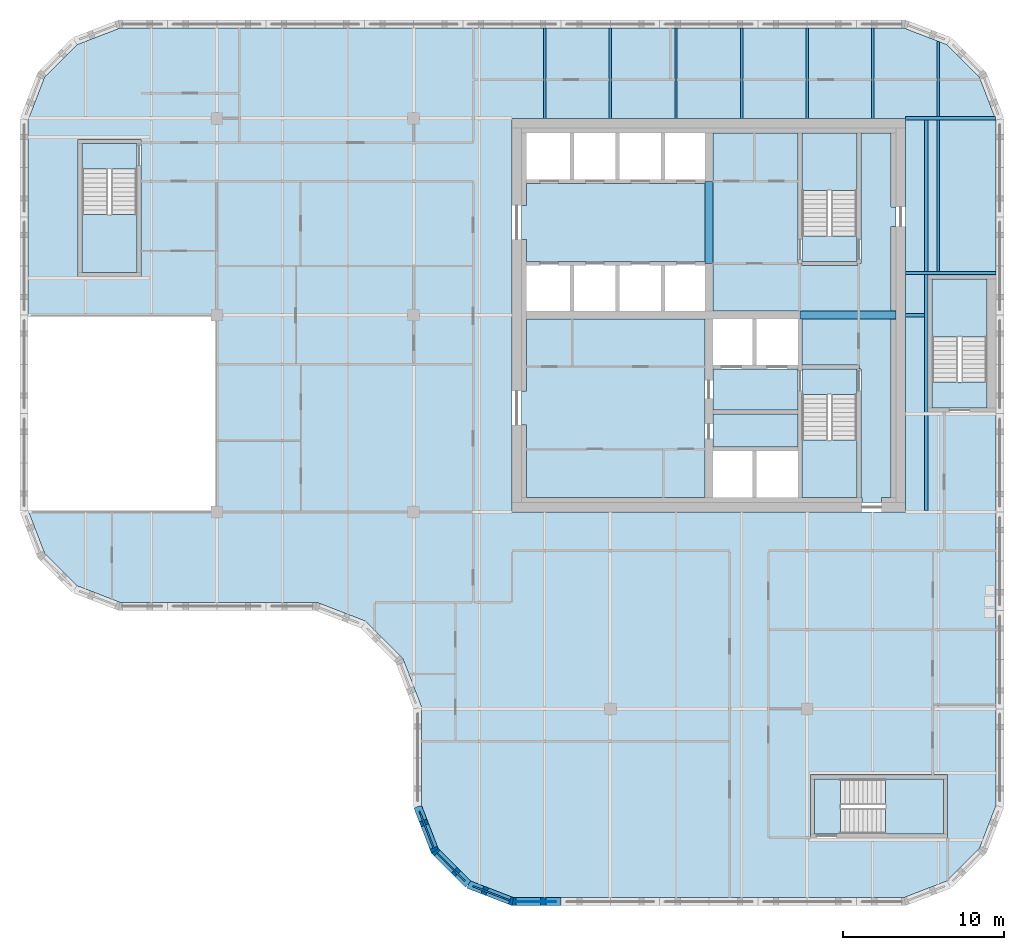
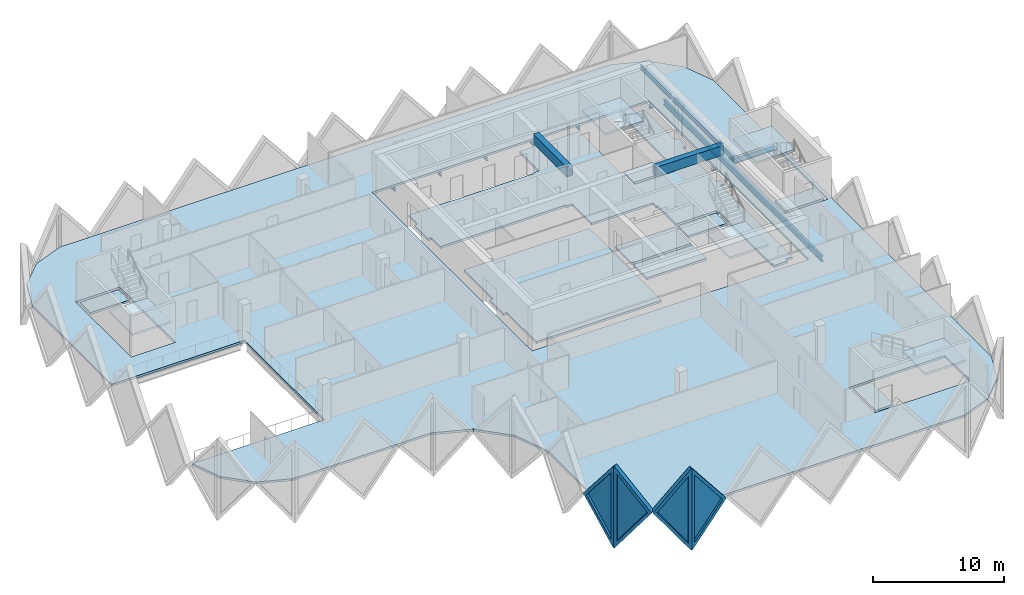
# One storey, part 2 of 12: 15 slabs, 14 beams, 4 plates, 4 walls, 4 openings, 5 elements without a shape of their own.
"""IFC4 building model written with IfcOpenShell, lengths in metres."""

from ifc_helpers import new_model, si_unit, direction, frame, origin, origin_2d, place, context, subcontext, project, spatial, polyline, rectangle, i_section, outline, extrude, faceted_brep, source, transform, mapped, material, layer, layer_set, material_profile, profile_set, type_object, element, fill, aggregate, save


model = new_model("IFC4")

# Units and contexts
model_context = context("Model", 3, precision=1e-05, world=origin(), true_north=direction((0.0, 1.0)))
body_context = subcontext(model_context, "Body", "Model", "MODEL_VIEW")
ifc_project = project(units=[si_unit("LENGTHUNIT", "METRE"), si_unit("AREAUNIT", "SQUARE_METRE"), si_unit("VOLUMEUNIT", "CUBIC_METRE"), si_unit("PLANEANGLEUNIT", "RADIAN"), si_unit("MASSUNIT", "GRAM", prefix="KILO")], contexts=[model_context])

# Site, building, storey
site_placement = place(None, origin())
site = spatial("IfcSite", under=ifc_project, at=site_placement, CompositionType="ELEMENT")
building_placement = place(site_placement, origin())
building = spatial("IfcBuilding", under=site, at=building_placement, Name="Tessera Gate Towers", CompositionType="ELEMENT")
storey_placement = place(building_placement, frame((0.0, 0.0, 178.199951171875)))
storey = spatial("IfcBuildingStorey", under=building, at=storey_placement, Name="L44", CompositionType="ELEMENT", Elevation=178.199951171875)

# Beams
ifc_material_1 = material(Name="Concrete C50/60", Category="concrete")
ifc_material_profile_1 = material_profile(ifc_material_1, rectangle(XDim=0.5, YDim=0.89990234375, at=origin_2d()), Name="RC 500x900")
ifc_profile_set_1 = profile_set([ifc_material_profile_1], Name="Concrete C50/60")
beam_type_1 = type_object("IfcBeamType", Name="COUPLING BEAM 500x900 C50/60", PredefinedType="BEAM", material=ifc_profile_set_1)
beam_1_placement = place(storey_placement, frame((48.35009765625, 36.60009765625, 3.150146484375), z_axis=(1.0, 0.0, 0.0), x_axis=(0.0, 1.0, 0.0)))
element("IfcBeam", 1, at=beam_1_placement, inside=storey, type_object=beam_type_1, Name="L44 coupling beam 1", PredefinedType="BEAM", context=body_context, shape_type="SweptSolid", body=[
    extrude(rectangle(XDim=0.5, YDim=0.89990234375, at=origin_2d()), origin(), (0.0, 0.0, 1.0), 5.949951171875),
])
beam_2_placement = place(storey_placement, frame((42.699951171875, 39.800048828125, 3.150146484375), z_axis=(0.0, 1.0, 0.0), x_axis=(-1.0, 0.0, 0.0)))
element("IfcBeam", 2, at=beam_2_placement, inside=storey, type_object=beam_type_1, Name="L44 coupling beam 2", PredefinedType="BEAM", context=body_context, shape_type="SweptSolid", body=[
    extrude(rectangle(XDim=0.5, YDim=0.89990234375, at=origin_2d()), origin(), (0.0, 0.0, 1.0), 5.099853515625),
])
ifc_material_2 = material(Name="Steel 350W", Category="steel")
ifc_material_profile_2 = material_profile(ifc_material_2, i_section(OverallWidth=0.208984375, OverallDepth=0.532958984375, WebThickness=0.01025390625, FlangeThickness=0.015625, at=origin_2d()), Name="W530x92")
ifc_profile_set_2 = profile_set([ifc_material_profile_2], Name="Steel 350W")
beam_type_2 = type_object("IfcBeamType", Name="FLOOR GIRDER W530x92", PredefinedType="BEAM", material=ifc_profile_set_2)
beam_3_placement = place(storey_placement, frame((54.89892578125, 36.60009765625, -0.466552734375), z_axis=(1.0, 0.0, 0.0), x_axis=(0.0, 1.0, 0.0)))
element("IfcBeam", 3, at=beam_3_placement, inside=storey, type_object=beam_type_2, Name="T1-GD-L44-4822", PredefinedType="BEAM", context=body_context, shape_type="SweptSolid", body=[
    extrude(i_section(OverallWidth=0.208984375, OverallDepth=0.532958984375, WebThickness=0.01025390625, FlangeThickness=0.015625, at=origin_2d()), origin(), (0.0, 0.0, 1.0), 1.176513671875),
])
beam_4_placement = place(storey_placement, frame((54.90087890625, 48.800048828125, -0.466552734375), z_axis=(1.0, 0.0, 0.0), x_axis=(0.0, 1.0, 0.0)))
element("IfcBeam", 4, at=beam_4_placement, inside=storey, type_object=beam_type_2, Name="T1-GD-L44-4826", PredefinedType="BEAM", context=body_context, shape_type="SweptSolid", body=[
    extrude(i_section(OverallWidth=0.208984375, OverallDepth=0.532958984375, WebThickness=0.01025390625, FlangeThickness=0.015625, at=origin_2d()), origin(), (0.0, 0.0, 1.0), 5.564208984375),
])
beam_5_placement = place(storey_placement, frame((54.89892578125, 39.219970703125, -0.466552734375), z_axis=(1.0, 0.0, 0.0), x_axis=(0.0, 1.0, 0.0)))
element("IfcBeam", 5, at=beam_5_placement, inside=storey, type_object=beam_type_2, Name="T1-GD-L44-4844", PredefinedType="BEAM", context=body_context, shape_type="SweptSolid", body=[
    extrude(i_section(OverallWidth=0.208984375, OverallDepth=0.532958984375, WebThickness=0.01025390625, FlangeThickness=0.015625, at=origin_2d()), origin(), (0.0, 0.0, 1.0), 5.60205078125),
])
beam_6_placement = place(storey_placement, frame((56.179931640625, 24.50439453125, -0.466552734375), z_axis=(0.0, 1.0, 0.0), x_axis=(-1.0, 0.0, 0.0)))
element("IfcBeam", 6, at=beam_6_placement, inside=storey, type_object=beam_type_2, Name="T1-GD-L44-4845", PredefinedType="BEAM", context=body_context, shape_type="SweptSolid", body=[
    extrude(i_section(OverallWidth=0.208984375, OverallDepth=0.532958984375, WebThickness=0.01025390625, FlangeThickness=0.015625, at=origin_2d()), origin(), (0.0, 0.0, 1.0), 24.191162109375),
])
ifc_material_3 = material(Name="Steel 350W", Category="steel")
ifc_material_profile_3 = material_profile(ifc_material_3, i_section(OverallWidth=0.153076171875, OverallDepth=0.455078125, WebThickness=0.008056640625, FlangeThickness=0.01318359375, at=origin_2d()), Name="W460x60")
ifc_profile_set_3 = profile_set([ifc_material_profile_3], Name="Steel 350W")
beam_type_3 = type_object("IfcBeamType", Name="FLOOR SECONDARY W460x60", PredefinedType="BEAM", material=ifc_profile_set_3)
for number, where, z_axis, x_axis, name in (
    (7, (32.533203125, 48.800048828125, -0.427490234375), (0.0, 1.0, 0.0), (-1.0, 0.0, 0.0), "T1-BM-L44-4867"),
    (8, (36.60009765625, 48.800048828125, -0.427490234375), (0.0, 1.0, 0.0), (-1.0, 0.0, 0.0), "T1-BM-L44-4868"),
    (9, (40.666748046875, 48.800048828125, -0.427490234375), (0.0, 1.0, 0.0), (-1.0, 0.0, 0.0), "T1-BM-L44-4871"),
    (10, (44.7333984375, 48.800048828125, -0.427490234375), (0.0, 1.0, 0.0), (-1.0, 0.0, 0.0), "T1-BM-L44-4874"),
    (11, (48.800048828125, 48.800048828125, -0.427490234375), (0.0, 1.0, 0.0), (-1.0, 0.0, 0.0), "T1-BM-L44-4875"),
    (12, (52.86669921875, 48.800048828125, -0.427490234375), (0.0, 1.0, 0.0), (-1.0, 0.0, 0.0), "T1-BM-L44-4879"),
):
    element("IfcBeam", number, at=place(storey_placement, frame(where, z_axis=z_axis, x_axis=x_axis)), inside=storey, type_object=beam_type_3, Name=name, PredefinedType="BEAM", context=body_context, shape_type="SweptSolid", body=[
        extrude(i_section(OverallWidth=0.153076171875, OverallDepth=0.455078125, WebThickness=0.008056640625, FlangeThickness=0.01318359375, at=origin_2d()), origin(), (0.0, 0.0, 1.0), 5.599853515625),
    ])
beam_7_placement = place(storey_placement, frame((56.933349609375, 39.324462890625, -0.427490234375), z_axis=(0.0, 1.0, 0.0), x_axis=(-1.0, 0.0, 0.0)))
element("IfcBeam", 13, at=beam_7_placement, inside=storey, type_object=beam_type_3, Name="T1-BM-L44-4884", PredefinedType="BEAM", context=body_context, shape_type="SweptSolid", body=[
    extrude(i_section(OverallWidth=0.153076171875, OverallDepth=0.455078125, WebThickness=0.008056640625, FlangeThickness=0.01318359375, at=origin_2d()), origin(), (0.0, 0.0, 1.0), 9.37109375),
])
beam_8_placement = place(storey_placement, frame((56.933349609375, 48.904541015625, -0.427490234375), z_axis=(0.0, 1.0, 0.0), x_axis=(-1.0, 0.0, 0.0)))
element("IfcBeam", 14, at=beam_8_placement, inside=storey, type_object=beam_type_3, Name="T1-BM-L44-4885", PredefinedType="BEAM", context=body_context, shape_type="SweptSolid", body=[
    extrude(i_section(OverallWidth=0.153076171875, OverallDepth=0.455078125, WebThickness=0.008056640625, FlangeThickness=0.01318359375, at=origin_2d()), origin(), (0.0, 0.0, 1.0), 4.675048828125),
])

# Slabs
ifc_material_4 = material(Name="Concrete C35/45", Category="concrete")
ifc_layer_1 = layer(ifc_material_4, 0.199951171875)
ifc_layer_set_1 = layer_set([ifc_layer_1], Name="COMPOSITE FLOOR 200")
slab_type_1 = type_object("IfcSlabType", Name="COMPOSITE FLOOR 200", PredefinedType="FLOOR", material=ifc_layer_set_1)
slab_1_placement = place(storey_placement, frame((0.0, 0.0, -0.199951171875)))
element("IfcSlab", 15, at=slab_1_placement, inside=storey, type_object=slab_type_1, Name="T1-L44", PredefinedType="FLOOR", context=body_context, shape_type="SweptSolid", body=[
    extrude(outline(polyline([(0.5, 36.60009765625), (12.199951171875, 36.60009765625), (12.199951171875, 24.39990234375), (0.535888671875, 24.39990234375), (1.526123046875, 21.8330078125), (3.533203125, 19.826171875), (6.193115234375, 18.800048828125), (18.39306640625, 18.800048828125), (21.42431640625, 17.630615234375), (23.730712890625, 15.32421875), (24.89990234375, 12.293212890625), (24.89990234375, 6.193115234375), (25.926025390625, 3.533203125), (27.93310546875, 1.526123046875), (30.593017578125, 0.5), (54.806884765625, 0.5), (57.466796875, 1.526123046875), (59.473876953125, 3.533203125), (60.5, 6.193115234375), (60.5, 48.706787109375), (59.473876953125, 51.366943359375), (57.466796875, 53.373779296875), (54.806884765625, 54.39990234375), (6.193115234375, 54.39990234375), (3.533203125, 53.373779296875), (1.526123046875, 51.366943359375), (0.5, 48.706787109375), (0.5, 36.60009765625)]), holes=[polyline([(3.60009765625, 39.0), (3.60009765625, 47.5), (7.5, 47.5), (7.5, 39.0), (3.60009765625, 39.0)]), polyline([(30.5, 24.39990234375), (30.5, 48.800048828125), (54.89990234375, 48.800048828125), (54.89990234375, 24.39990234375), (30.5, 24.39990234375)]), polyline([(49.0, 4.199951171875), (49.0, 8.10009765625), (57.5, 8.10009765625), (57.5, 4.199951171875), (49.0, 4.199951171875)]), polyline([(56.300048828125, 30.60009765625), (56.300048828125, 39.10009765625), (60.199951171875, 39.10009765625), (60.199951171875, 30.60009765625), (56.300048828125, 30.60009765625)])]), origin(), (0.0, 0.0, 1.0), 0.199951171875),
])
ifc_material_5 = material(Name="Concrete C35/45", Category="concrete")
ifc_layer_2 = layer(ifc_material_5, 0.199951171875)
ifc_layer_set_2 = layer_set([ifc_layer_2], Name="CORE FLOOR SLAB 200")
slab_type_2 = type_object("IfcSlabType", Name="CORE FLOOR SLAB 200", PredefinedType="FLOOR", material=ifc_layer_set_2)
slab_2_placement = place(storey_placement, frame((0.0, 0.0, -0.199951171875)))
element("IfcSlab", 16, at=slab_2_placement, inside=storey, type_object=slab_type_2, Name="L44 core floor slab", PredefinedType="FLOOR", context=body_context, shape_type="SweptSolid", body=[
    extrude(outline(polyline([(42.449951171875, 44.89990234375), (42.449951171875, 44.77490234375), (31.39990234375, 44.77490234375), (31.39990234375, 43.39990234375), (31.10009765625, 43.39990234375), (31.10009765625, 41.300048828125), (31.39990234375, 41.300048828125), (31.39990234375, 39.925048828125), (42.449951171875, 39.925048828125), (42.449951171875, 39.800048828125), (42.949951171875, 39.800048828125), (42.949951171875, 36.85009765625), (48.35009765625, 36.85009765625), (48.35009765625, 36.35009765625), (48.47509765625, 36.35009765625), (48.47509765625, 33.52490234375), (52.0, 33.52490234375), (52.0, 33.27490234375), (52.125, 33.27490234375), (52.125, 25.300048828125), (52.199951171875, 25.300048828125), (52.199951171875, 25.0), (53.39990234375, 25.0), (53.39990234375, 25.300048828125), (54.0, 25.300048828125), (54.0, 36.320068359375), (54.300048828125, 36.320068359375), (54.300048828125, 36.8798828125), (54.0, 36.8798828125), (54.0, 42.10009765625), (54.300048828125, 42.10009765625), (54.300048828125, 43.300048828125), (54.0, 43.300048828125), (54.0, 47.89990234375), (52.125, 47.89990234375), (52.125, 39.800048828125), (51.875, 39.800048828125), (51.875, 39.675048828125), (48.47509765625, 39.675048828125), (48.47509765625, 39.800048828125), (48.22509765625, 39.800048828125), (48.22509765625, 47.89990234375), (42.949951171875, 47.89990234375), (42.949951171875, 44.89990234375), (42.449951171875, 44.89990234375)])), origin(), (0.0, 0.0, 1.0), 0.199951171875),
])
slab_3_placement = place(storey_placement, frame((0.0, 0.0, -0.199951171875)))
element("IfcSlab", 17, at=slab_3_placement, inside=storey, type_object=slab_type_2, Name="L44 core floor slab", PredefinedType="FLOOR", context=body_context, shape_type="SweptSolid", body=[
    extrude(outline(polyline([(31.39990234375, 36.35009765625), (31.39990234375, 31.89990234375), (31.10009765625, 31.89990234375), (31.10009765625, 29.800048828125), (31.39990234375, 29.800048828125), (31.39990234375, 25.300048828125), (42.449951171875, 25.300048828125), (42.449951171875, 36.35009765625), (31.39990234375, 36.35009765625)])), origin(), (0.0, 0.0, 1.0), 0.199951171875),
])
slab_4_placement = place(storey_placement, frame((0.0, 0.0, -0.199951171875)))
element("IfcSlab", 18, at=slab_4_placement, inside=storey, type_object=slab_type_2, Name="L44 core floor slab", PredefinedType="FLOOR", context=body_context, shape_type="SweptSolid", body=[
    extrude(outline(polyline([(42.949951171875, 33.27490234375), (42.949951171875, 30.72509765625), (48.22509765625, 30.72509765625), (48.22509765625, 33.27490234375), (42.949951171875, 33.27490234375)])), origin(), (0.0, 0.0, 1.0), 0.199951171875),
])
slab_5_placement = place(storey_placement, frame((0.0, 0.0, -0.199951171875)))
element("IfcSlab", 19, at=slab_5_placement, inside=storey, type_object=slab_type_2, Name="L44 core floor slab", PredefinedType="FLOOR", context=body_context, shape_type="SweptSolid", body=[
    extrude(outline(polyline([(48.22509765625, 30.47509765625), (42.949951171875, 30.47509765625), (42.949951171875, 28.425048828125), (48.22509765625, 28.425048828125), (48.22509765625, 30.47509765625)])), origin(), (0.0, 0.0, 1.0), 0.199951171875),
])
slab_6_placement = place(storey_placement, frame((0.0, 0.0, -0.199951171875)))
element("IfcSlab", 20, at=slab_6_placement, inside=storey, type_object=slab_type_2, Name="L44 core floor slab", PredefinedType="FLOOR", context=body_context, shape_type="SweptSolid", body=[
    extrude(outline(polyline([(51.875, 31.675048828125), (51.875, 33.27490234375), (48.47509765625, 33.27490234375), (48.47509765625, 31.675048828125), (51.875, 31.675048828125)])), origin(), (0.0, 0.0, 1.0), 0.199951171875),
])
slab_7_placement = place(storey_placement, frame((0.0, 0.0, -0.199951171875)))
element("IfcSlab", 21, at=slab_7_placement, inside=storey, type_object=slab_type_2, Name="L44 core floor slab", PredefinedType="FLOOR", context=body_context, shape_type="SweptSolid", body=[
    extrude(outline(polyline([(48.47509765625, 41.52490234375), (48.47509765625, 39.925048828125), (51.875, 39.925048828125), (51.875, 41.52490234375), (48.47509765625, 41.52490234375)])), origin(), (0.0, 0.0, 1.0), 0.199951171875),
])
slab_8_placement = place(storey_placement, frame((0.0, 0.0, -0.199951171875)))
element("IfcSlab", 22, at=slab_8_placement, inside=storey, type_object=slab_type_2, Name="L44 ST3 floor landing", PredefinedType="FLOOR", context=body_context, shape_type="SweptSolid", body=[
    extrude(outline(polyline([(3.85009765625, 47.25), (3.85009765625, 45.64990234375), (7.25, 45.64990234375), (7.25, 47.25), (3.85009765625, 47.25)])), origin(), (0.0, 0.0, 1.0), 0.199951171875),
])
slab_9_placement = place(storey_placement, frame((0.0, 0.0, -0.199951171875)))
element("IfcSlab", 23, at=slab_9_placement, inside=storey, type_object=slab_type_2, Name="L44 ST4 floor landing", PredefinedType="FLOOR", context=body_context, shape_type="SweptSolid", body=[
    extrude(outline(polyline([(49.25, 4.449951171875), (50.85009765625, 4.449951171875), (50.85009765625, 7.85009765625), (49.25, 7.85009765625), (49.25, 4.449951171875)])), origin(), (0.0, 0.0, 1.0), 0.199951171875),
])
slab_10_placement = place(storey_placement, frame((0.0, 0.0, -0.199951171875)))
element("IfcSlab", 24, at=slab_10_placement, inside=storey, type_object=slab_type_2, Name="L44 ST5 floor landing", PredefinedType="FLOOR", context=body_context, shape_type="SweptSolid", body=[
    extrude(outline(polyline([(59.949951171875, 30.85009765625), (59.949951171875, 32.449951171875), (56.550048828125, 32.449951171875), (56.550048828125, 30.85009765625), (59.949951171875, 30.85009765625)])), origin(), (0.0, 0.0, 1.0), 0.199951171875),
])

# Stair, slab
ifc_material_6 = material(Name="Concrete C40/50", Category="concrete")
stair_type_1 = type_object("IfcStairType", Name="EXIT STAIR ST1 1600", PredefinedType="HALF_TURN_STAIR", material=ifc_material_6)
stair_1_placement = place(storey_placement, origin())
stair_1 = element("IfcStair", 25, at=stair_1_placement, inside=storey, type_object=stair_type_1, Name="L44 Protected Exit Stair ST1", PredefinedType="HALF_TURN_STAIR")
ifc_material_7 = material(Name="Concrete C40/50", Category="concrete")
ifc_layer_3 = layer(ifc_material_7, 0.199951171875)
ifc_layer_set_3 = layer_set([ifc_layer_3], Name="EXIT STAIR LANDING 200")
slab_type_3 = type_object("IfcSlabType", Name="EXIT STAIR LANDING 200", PredefinedType="LANDING", material=ifc_layer_set_3)
slab_11_placement = place(storey_placement, frame((0.0, 0.0, 1.699951171875)))
slab_11 = element("IfcSlab", 26, at=slab_11_placement, type_object=slab_type_3, Name="ST1 landing 1", PredefinedType="LANDING", context=body_context, shape_type="SweptSolid", body=[
    extrude(outline(polyline([(48.47509765625, 28.875), (48.47509765625, 25.300048828125), (51.875, 25.300048828125), (51.875, 28.875), (48.47509765625, 28.875)])), origin(), (0.0, 0.0, 1.0), 0.2001953125),
])
aggregate(stair_1, [slab_11])

ifc_material_8 = material(Name="Concrete C40/50", Category="concrete")
stair_type_2 = type_object("IfcStairType", Name="EXIT STAIR ST2 1600", PredefinedType="HALF_TURN_STAIR", material=ifc_material_8)
stair_2_placement = place(storey_placement, origin())
stair_2 = element("IfcStair", 27, at=stair_2_placement, inside=storey, type_object=stair_type_2, Name="L44 Protected Exit Stair ST2", PredefinedType="HALF_TURN_STAIR")
slab_12_placement = place(storey_placement, frame((0.0, 0.0, 1.699951171875)))
slab_12 = element("IfcSlab", 28, at=slab_12_placement, type_object=slab_type_3, Name="ST2 landing 1", PredefinedType="LANDING", context=body_context, shape_type="SweptSolid", body=[
    extrude(outline(polyline([(51.875, 44.324951171875), (51.875, 47.89990234375), (48.47509765625, 47.89990234375), (48.47509765625, 44.324951171875), (51.875, 44.324951171875)])), origin(), (0.0, 0.0, 1.0), 0.2001953125),
])
aggregate(stair_2, [slab_12])

ifc_material_9 = material(Name="Concrete C40/50", Category="concrete")
stair_type_3 = type_object("IfcStairType", Name="EXIT STAIR ST3 1600", PredefinedType="HALF_TURN_STAIR", material=ifc_material_9)
stair_3_placement = place(storey_placement, origin())
stair_3 = element("IfcStair", 29, at=stair_3_placement, inside=storey, type_object=stair_type_3, Name="L44 West Exit Stair ST3", PredefinedType="HALF_TURN_STAIR")
slab_13_placement = place(storey_placement, frame((0.0, 0.0, 1.699951171875)))
slab_13 = element("IfcSlab", 30, at=slab_13_placement, type_object=slab_type_3, Name="ST3 landing 1", PredefinedType="LANDING", context=body_context, shape_type="SweptSolid", body=[
    extrude(outline(polyline([(3.85009765625, 42.85009765625), (3.85009765625, 39.25), (7.25, 39.25), (7.25, 42.85009765625), (3.85009765625, 42.85009765625)])), origin(), (0.0, 0.0, 1.0), 0.2001953125),
])
aggregate(stair_3, [slab_13])

ifc_material_10 = material(Name="Concrete C40/50", Category="concrete")
stair_type_4 = type_object("IfcStairType", Name="EXIT STAIR ST4 1600", PredefinedType="HALF_TURN_STAIR", material=ifc_material_10)
stair_4_placement = place(storey_placement, origin())
stair_4 = element("IfcStair", 31, at=stair_4_placement, inside=storey, type_object=stair_type_4, Name="L44 South Exit Stair ST4", PredefinedType="HALF_TURN_STAIR")
slab_14_placement = place(storey_placement, frame((0.0, 0.0, 1.699951171875)))
slab_14 = element("IfcSlab", 32, at=slab_14_placement, type_object=slab_type_3, Name="ST4 landing 1", PredefinedType="LANDING", context=body_context, shape_type="SweptSolid", body=[
    extrude(outline(polyline([(53.64990234375, 4.449951171875), (57.25, 4.449951171875), (57.25, 7.85009765625), (53.64990234375, 7.85009765625), (53.64990234375, 4.449951171875)])), origin(), (0.0, 0.0, 1.0), 0.2001953125),
])
aggregate(stair_4, [slab_14])

ifc_material_11 = material(Name="Concrete C40/50", Category="concrete")
stair_type_5 = type_object("IfcStairType", Name="EXIT STAIR ST5 1600", PredefinedType="HALF_TURN_STAIR", material=ifc_material_11)
stair_5_placement = place(storey_placement, origin())
stair_5 = element("IfcStair", 33, at=stair_5_placement, inside=storey, type_object=stair_type_5, Name="L44 East Exit Stair ST5", PredefinedType="HALF_TURN_STAIR")
slab_15_placement = place(storey_placement, frame((0.0, 0.0, 1.699951171875)))
slab_15 = element("IfcSlab", 34, at=slab_15_placement, type_object=slab_type_3, Name="ST5 landing 1", PredefinedType="LANDING", context=body_context, shape_type="SweptSolid", body=[
    extrude(outline(polyline([(59.949951171875, 35.25), (59.949951171875, 38.85009765625), (56.550048828125, 38.85009765625), (56.550048828125, 35.25), (59.949951171875, 35.25)])), origin(), (0.0, 0.0, 1.0), 0.2001953125),
])
aggregate(stair_5, [slab_15])

# Wall, opening, plate
ifc_material_12 = material(Name="Precast concrete C60/75 white", Category="concrete")
ifc_layer_4 = layer(ifc_material_12, 0.5)
ifc_layer_set_4 = layer_set([ifc_layer_4], Name="TS3 corner tessera")
wall_type = type_object("IfcWallType", Name="TS3 corner tessera", PredefinedType="SOLIDWALL", material=ifc_layer_set_4)
shared_shape_1 = source(origin(), body_context, "Body", "Brep", [
    faceted_brep([(2.950439453125, -0.25, 0.0), (3.00341796875, -0.25, 0.068359375), (3.00341796875, -0.25, 7.53173828125), (2.950439453125, -0.25, 7.60009765625), (0.0, -0.25, 3.800048828125), (0.046630859375, 0.25, 3.860107421875), (2.897705078125, 0.25, 7.531982421875), (2.897705078125, 0.25, 0.068115234375), (0.046630859375, 0.25, 3.739990234375), (2.950439453125, 0.00048828125, 0.0), (2.950439453125, 0.00048828125, 7.60009765625), (0.0, 0.0, 3.800048828125)], [[[0, 1, 2, 3, 4]], [[5, 6, 7, 8]], [[1, 0, 9]], [[10, 3, 2]], [[6, 5, 11, 4, 3, 10]], [[8, 7, 9, 0, 4, 11]], [[8, 11, 5]], [[1, 9, 7, 6, 10, 2]]]),
])
wall_1_placement = place(storey_placement, frame((24.64990234375, 6.146484375, -3.800048828125), z_axis=(0.0, 0.0, 1.0), x_axis=(0.359953949349, -0.932970071518, 0.0)))
wall_1 = element("IfcWall", 35, at=wall_1_placement, inside=storey, type_object=wall_type, Name="Precast corner tessera T1 TS3-1031", PredefinedType="SOLIDWALL", context=body_context, shape_type="MappedRepresentation", body=[
    mapped(shared_shape_1, transform((0.0, 0.0, 0.0), scale=1.0)),
])
shared_shape_2 = source(origin(), body_context, "Body", "SweptSolid", [
    extrude(outline(polyline([(2.75048828125, 6.934814453125), (0.31640625, 3.800048828125), (2.75048828125, 0.665283203125), (2.75048828125, 6.934814453125)])), frame((0.0, 0.260009765625, 0.0), z_axis=(0.0, -1.0, 0.0), x_axis=(1.0, 0.0, 0.0)), (0.0, 0.0, 1.0), 0.52001953125),
])
opening_1_placement = place(wall_1_placement, origin())
opening_1 = element("IfcOpeningElement", 36, at=opening_1_placement, cuts=wall_1, Name="Opening T1-PL2-1596", PredefinedType="OPENING", context=body_context, shape_type="MappedRepresentation", body=[
    mapped(shared_shape_2, transform((0.0, 0.0, 0.0), scale=1.0)),
])
ifc_material_13 = material(Name="Low-e laminated glass", Category="glass")
ifc_layer_5 = layer(ifc_material_13, 0.06005859375)
ifc_layer_set_5 = layer_set([ifc_layer_5], Name="PL2 rhombic pane")
plate_type = type_object("IfcPlateType", Name="PL2 rhombic pane", PredefinedType="SHEET", material=ifc_layer_set_5)
shared_shape_3 = source(origin(), body_context, "Body", "SweptSolid", [
    extrude(outline(polyline([(2.75048828125, 6.934814453125), (0.31640625, 3.800048828125), (2.75048828125, 0.665283203125), (2.75048828125, 6.934814453125)])), frame((0.0, 0.030029296875, 0.0), z_axis=(0.0, -1.0, 0.0), x_axis=(1.0, 0.0, 0.0)), (0.0, 0.0, 1.0), 0.06005859375),
])
plate_1_placement = place(opening_1_placement, origin())
plate_1 = element("IfcPlate", 37, at=plate_1_placement, inside=storey, type_object=plate_type, Name="Glass pane T1 PL2-1596", PredefinedType="SHEET", context=body_context, shape_type="MappedRepresentation", body=[
    mapped(shared_shape_3, transform((0.0, 0.0, 0.0), scale=1.0)),
])
fill(opening_1, plate_1)

shared_shape_4 = source(origin(), body_context, "Body", "Brep", [
    faceted_brep([(0.046630859375, -0.25, 0.0), (3.050048828125, -0.25, 3.800048828125), (0.046630859375, -0.25, 7.60009765625), (0.0, -0.25, 7.5400390625), (0.0, -0.25, 0.06005859375), (0.09326171875, 0.25, 7.541259765625), (3.050048828125, 0.25, 3.800048828125), (0.09326171875, 0.25, 0.058837890625), (0.046630859375, 0.0, 0.0), (0.046630859375, 0.0, 7.60009765625)], [[[0, 1, 2, 3, 4]], [[5, 6, 7]], [[7, 6, 1, 0, 8]], [[6, 5, 9, 2, 1]], [[3, 2, 9]], [[8, 0, 4]], [[7, 8, 4, 3, 9, 5]]]),
])
wall_2_placement = place(storey_placement, frame((30.5, 0.25, -3.800048828125), z_axis=(0.0, 0.0, 1.0), x_axis=(1.0, 0.0, 0.0)))
wall_2 = element("IfcWall", 38, at=wall_2_placement, inside=storey, type_object=wall_type, Name="Precast corner tessera T1 TS3-1009", PredefinedType="SOLIDWALL", context=body_context, shape_type="MappedRepresentation", body=[
    mapped(shared_shape_4, transform((0.0, 0.0, 0.0), scale=1.0)),
])
shared_shape_5 = source(origin(), body_context, "Body", "SweptSolid", [
    extrude(outline(polyline([(0.24658203125, 0.65625), (2.7314453125, 3.800048828125), (0.24658203125, 6.94384765625), (0.24658203125, 0.65625)])), frame((0.0, 0.260009765625, 0.0), z_axis=(0.0, -1.0, 0.0), x_axis=(1.0, 0.0, 0.0)), (0.0, 0.0, 1.0), 0.52001953125),
])
opening_2_placement = place(wall_2_placement, origin())
opening_2 = element("IfcOpeningElement", 39, at=opening_2_placement, cuts=wall_2, Name="Opening T1-PL2-1551", PredefinedType="OPENING", context=body_context, shape_type="MappedRepresentation", body=[
    mapped(shared_shape_5, transform((0.0, 0.0, 0.0), scale=1.0)),
])
shared_shape_6 = source(origin(), body_context, "Body", "SweptSolid", [
    extrude(outline(polyline([(0.24658203125, 0.65625), (2.7314453125, 3.800048828125), (0.24658203125, 6.94384765625), (0.24658203125, 0.65625)])), frame((0.0, 0.030029296875, 0.0), z_axis=(0.0, -1.0, 0.0), x_axis=(1.0, 0.0, 0.0)), (0.0, 0.0, 1.0), 0.06005859375),
])
plate_2_placement = place(opening_2_placement, origin())
plate_2 = element("IfcPlate", 40, at=plate_2_placement, inside=storey, type_object=plate_type, Name="Glass pane T1 PL2-1551", PredefinedType="SHEET", context=body_context, shape_type="MappedRepresentation", body=[
    mapped(shared_shape_6, transform((0.0, 0.0, 0.0), scale=1.0)),
])
fill(opening_2, plate_2)

shared_shape_7 = source(origin(), body_context, "Body", "Brep", [
    faceted_brep([(0.052978515625, -0.25, 0.0), (2.9970703125, -0.25, 3.800048828125), (0.052978515625, -0.25, 7.60009765625), (0.0, -0.25, 7.531982421875), (0.0, -0.25, 0.068115234375), (0.10595703125, 0.25, 7.53173828125), (2.944091796875, 0.25, 3.8681640625), (2.944091796875, 0.25, 3.73193359375), (0.10595703125, 0.25, 0.068359375), (2.9970703125, 0.000244140625, 3.800048828125), (0.052978515625, 0.0, 0.0), (0.052978515625, 0.0, 7.60009765625)], [[[0, 1, 2, 3, 4]], [[5, 6, 7, 8]], [[8, 7, 9, 1, 0, 10]], [[6, 5, 11, 2, 1, 9]], [[3, 2, 11]], [[10, 0, 4]], [[8, 10, 4, 3, 11, 5]], [[9, 7, 6]]]),
])
wall_3_placement = place(storey_placement, frame((25.674560546875, 3.43115234375, -3.800048828125), z_axis=(0.0, 0.0, 1.0), x_axis=(0.707106781187, -0.707106781187, 0.0)))
wall_3 = element("IfcWall", 41, at=wall_3_placement, inside=storey, type_object=wall_type, Name="Precast corner tessera T1 TS3-1032", PredefinedType="SOLIDWALL", context=body_context, shape_type="MappedRepresentation", body=[
    mapped(shared_shape_7, transform((0.0, 0.0, 0.0), scale=1.0)),
])
shared_shape_8 = source(origin(), body_context, "Body", "SweptSolid", [
    extrude(outline(polyline([(0.2529296875, 0.66650390625), (2.680908203125, 3.800048828125), (0.2529296875, 6.933837890625), (0.2529296875, 0.66650390625)])), frame((0.0, 0.260009765625, 0.0), z_axis=(0.0, -1.0, 0.0), x_axis=(1.0, 0.0, 0.0)), (0.0, 0.0, 1.0), 0.52001953125),
])
opening_3_placement = place(wall_3_placement, origin())
opening_3 = element("IfcOpeningElement", 42, at=opening_3_placement, cuts=wall_3, Name="Opening T1-PL2-1597", PredefinedType="OPENING", context=body_context, shape_type="MappedRepresentation", body=[
    mapped(shared_shape_8, transform((0.0, 0.0, 0.0), scale=1.0)),
])
shared_shape_9 = source(origin(), body_context, "Body", "SweptSolid", [
    extrude(outline(polyline([(0.2529296875, 0.66650390625), (2.680908203125, 3.800048828125), (0.2529296875, 6.933837890625), (0.2529296875, 0.66650390625)])), frame((0.0, 0.030029296875, 0.0), z_axis=(0.0, -1.0, 0.0), x_axis=(1.0, 0.0, 0.0)), (0.0, 0.0, 1.0), 0.06005859375),
])
plate_3_placement = place(opening_3_placement, origin())
plate_3 = element("IfcPlate", 43, at=plate_3_placement, inside=storey, type_object=plate_type, Name="Glass pane T1 PL2-1597", PredefinedType="SHEET", context=body_context, shape_type="MappedRepresentation", body=[
    mapped(shared_shape_9, transform((0.0, 0.0, 0.0), scale=1.0)),
])
fill(opening_3, plate_3)

shared_shape_10 = source(origin(), body_context, "Body", "Brep", [
    faceted_brep([(2.950439453125, -0.25, 0.0), (2.9970703125, -0.25, 0.05908203125), (2.9970703125, -0.25, 7.541015625), (2.950439453125, -0.25, 7.60009765625), (0.0, -0.25, 3.800048828125), (0.052978515625, 0.25, 3.8681640625), (2.904052734375, 0.25, 7.540283203125), (2.904052734375, 0.25, 0.059814453125), (0.052978515625, 0.25, 3.73193359375), (2.950439453125, 0.00048828125, 0.0), (2.950439453125, 0.00048828125, 7.60009765625), (0.0, 0.0, 3.800048828125)], [[[0, 1, 2, 3, 4]], [[5, 6, 7, 8]], [[1, 0, 9]], [[10, 3, 2]], [[6, 5, 11, 4, 3, 10]], [[8, 7, 9, 0, 4, 11]], [[8, 11, 5]], [[1, 9, 7, 6, 10, 2]]]),
])
wall_4_placement = place(storey_placement, frame((27.793701171875, 1.31201171875, -3.800048828125), z_axis=(0.0, 0.0, 1.0), x_axis=(0.932973525033, -0.359944998003, 0.0)))
wall_4 = element("IfcWall", 44, at=wall_4_placement, inside=storey, type_object=wall_type, Name="Precast corner tessera T1 TS3-1010", PredefinedType="SOLIDWALL", context=body_context, shape_type="MappedRepresentation", body=[
    mapped(shared_shape_10, transform((0.0, 0.0, 0.0), scale=1.0)),
])
opening_4_placement = place(wall_4_placement, origin())
opening_4 = element("IfcOpeningElement", 45, at=opening_4_placement, cuts=wall_4, Name="Opening T1-PL2-1552", PredefinedType="OPENING", context=body_context, shape_type="MappedRepresentation", body=[
    mapped(shared_shape_2, transform((0.0, 0.0, 0.0), scale=1.0)),
])
plate_4_placement = place(opening_4_placement, origin())
plate_4 = element("IfcPlate", 46, at=plate_4_placement, inside=storey, type_object=plate_type, Name="Glass pane T1 PL2-1552", PredefinedType="SHEET", context=body_context, shape_type="MappedRepresentation", body=[
    mapped(shared_shape_3, transform((0.0, 0.0, 0.0), scale=1.0)),
])
fill(opening_4, plate_4)

save(model, "model.ifc")
